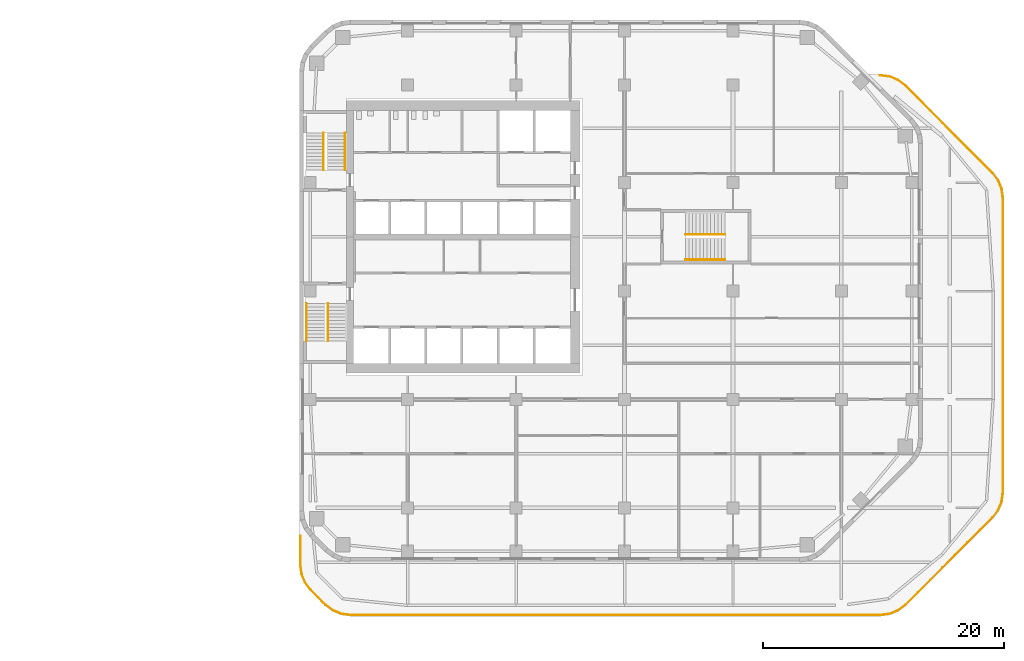
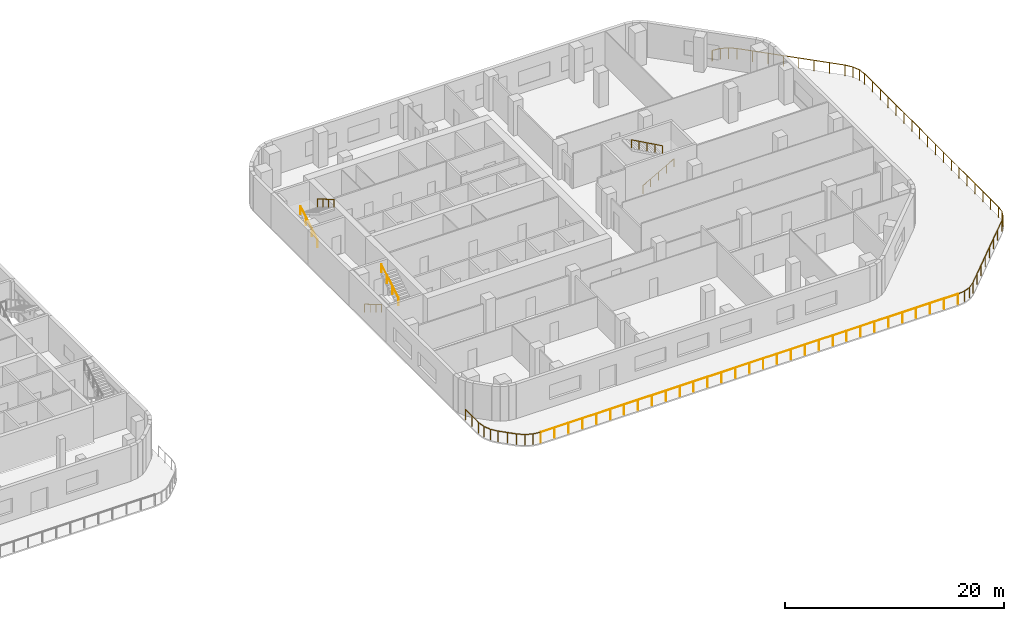
# One storey, part 14 of 15: 11 railings, 3 elements without a shape of their own.
"""IFC4 building model written with IfcOpenShell, lengths in metres."""

from ifc_helpers import new_model, si_unit, direction, frame, origin, origin_2d, place, context, subcontext, project, spatial, circle, extrude, material, type_object, element, aggregate, save


model = new_model("IFC4")

# Units and contexts
model_context = context("Model", 3, precision=1e-05, world=origin(), true_north=direction((0.0, 1.0)))
body_context = subcontext(model_context, "Body", "Model", "MODEL_VIEW")
ifc_project = project(units=[si_unit("LENGTHUNIT", "METRE"), si_unit("AREAUNIT", "SQUARE_METRE"), si_unit("VOLUMEUNIT", "CUBIC_METRE"), si_unit("PLANEANGLEUNIT", "RADIAN"), si_unit("MASSUNIT", "GRAM", prefix="KILO")], contexts=[model_context])

# Site, building, storey
site_placement = place(None, origin())
site = spatial("IfcSite", under=ifc_project, at=site_placement, CompositionType="ELEMENT")
building_placement = place(site_placement, origin())
building = spatial("IfcBuilding", under=site, at=building_placement, Name="Cinnabar Reach Civic Tower", CompositionType="ELEMENT")
storey_placement = place(building_placement, frame((0.0, 0.0, 100.0)))
storey = spatial("IfcBuildingStorey", under=building, at=storey_placement, Name="L23", CompositionType="ELEMENT", Elevation=100.0)

# Railings
ifc_material_1 = material(Name="Stainless steel", Category="steel")
railing_type_1 = type_object("IfcRailingType", Name="Facade terrace guard 1200", PredefinedType="GUARDRAIL", material=ifc_material_1)
railing_1_placement = place(storey_placement, frame((48.1985, 44.9, 0.0)))
element("IfcRailing", 1, at=railing_1_placement, inside=storey, type_object=railing_type_1, Name="Terrace guard", PredefinedType="GUARDRAIL", context=body_context, shape_type="SweptSolid", body=[
    extrude(circle(Radius=0.024, at=origin_2d()), frame((0.0, 0.0, 1.176), z_axis=(1.0, 0.0, 0.0), x_axis=(0.0, 1.0, 0.0)), (0.0, 0.0, 1.0), 0.0523),
    extrude(circle(Radius=0.024, at=origin_2d()), frame((0.0523, 0.0, 1.176), z_axis=(0.991452957962, -0.130464677782, 0.0), x_axis=(0.130464677782, 0.991452957962, 0.0)), (0.0, 0.0, 1.0), 0.7634),
    extrude(circle(Radius=0.024, at=origin_2d()), frame((0.8092, -0.0996, 1.176), z_axis=(0.923841279444, -0.382775770387, 0.0), x_axis=(0.382775770387, 0.923841279444, 0.0)), (0.0, 0.0, 1.0), 0.7568),
    extrude(circle(Radius=0.024, at=origin_2d()), frame((1.5084, -0.3893, 1.176), z_axis=(0.793397594576, -0.608703751361, 0.0), x_axis=(0.608703751361, 0.793397594576, 0.0)), (0.0, 0.0, 1.0), 0.7634),
    extrude(circle(Radius=0.024, at=origin_2d()), frame((2.1141, -0.854, 1.176), z_axis=(0.707106781187, -0.707106781187, 0.0), x_axis=(0.707106781187, 0.707106781187, 0.0)), (0.0, 0.0, 1.0), 10.2296),
    extrude(circle(Radius=0.024, at=origin_2d()), frame((9.3475, -8.0874, 1.176), z_axis=(0.608703751361, -0.793397594576, 0.0), x_axis=(0.793397594576, 0.608703751361, 0.0)), (0.0, 0.0, 1.0), 0.7634),
    extrude(circle(Radius=0.024, at=origin_2d()), frame((9.8122, -8.6931, 1.176), z_axis=(0.382775770387, -0.923841279444, 0.0), x_axis=(0.923841279444, 0.382775770387, 0.0)), (0.0, 0.0, 1.0), 0.7568),
    extrude(circle(Radius=0.024, at=origin_2d()), frame((10.1019, -9.3923, 1.176), z_axis=(0.130464677782, -0.991452957962, 0.0), x_axis=(0.991452957962, 0.130464677782, 0.0)), (0.0, 0.0, 1.0), 0.7634),
    extrude(circle(Radius=0.021, at=origin_2d()), origin(), (0.0, 0.0, 1.0), 1.152),
    extrude(circle(Radius=0.021, at=origin_2d()), frame((0.0523, 0.0, 0.0)), (0.0, 0.0, 1.0), 1.152),
    extrude(circle(Radius=0.021, at=origin_2d()), frame((0.8092, -0.0996, 0.0)), (0.0, 0.0, 1.0), 1.152),
    extrude(circle(Radius=0.021, at=origin_2d()), frame((1.5084, -0.3893, 0.0)), (0.0, 0.0, 1.0), 1.152),
    extrude(circle(Radius=0.021, at=origin_2d()), frame((2.1141, -0.854, 0.0)), (0.0, 0.0, 1.0), 1.152),
    extrude(circle(Radius=0.021, at=origin_2d()), frame((3.1474, -1.8873, 0.0)), (0.0, 0.0, 1.0), 1.152),
    extrude(circle(Radius=0.021, at=origin_2d()), frame((4.1808, -2.9207, 0.0)), (0.0, 0.0, 1.0), 1.152),
    extrude(circle(Radius=0.021, at=origin_2d()), frame((5.2141, -3.954, 0.0)), (0.0, 0.0, 1.0), 1.152),
    extrude(circle(Radius=0.021, at=origin_2d()), frame((6.2475, -4.9874, 0.0)), (0.0, 0.0, 1.0), 1.152),
    extrude(circle(Radius=0.021, at=origin_2d()), frame((7.2808, -6.0207, 0.0)), (0.0, 0.0, 1.0), 1.152),
    extrude(circle(Radius=0.021, at=origin_2d()), frame((8.3142, -7.0541, 0.0)), (0.0, 0.0, 1.0), 1.152),
    extrude(circle(Radius=0.021, at=origin_2d()), frame((9.3475, -8.0874, 0.0)), (0.0, 0.0, 1.0), 1.152),
    extrude(circle(Radius=0.021, at=origin_2d()), frame((9.8122, -8.6931, 0.0)), (0.0, 0.0, 1.0), 1.152),
    extrude(circle(Radius=0.021, at=origin_2d()), frame((10.1019, -9.3923, 0.0)), (0.0, 0.0, 1.0), 1.152),
    extrude(circle(Radius=0.021, at=origin_2d()), frame((10.2015, -10.1492, 0.0)), (0.0, 0.0, 1.0), 1.152),
])
railing_2_placement = place(storey_placement, frame((58.4, 34.7508, 0.0)))
element("IfcRailing", 2, at=railing_2_placement, inside=storey, type_object=railing_type_1, Name="Terrace guard", PredefinedType="GUARDRAIL", context=body_context, shape_type="SweptSolid", body=[
    extrude(circle(Radius=0.024, at=origin_2d()), frame((0.0, 0.0, 1.176), z_axis=(0.0, -1.0, 0.0), x_axis=(1.0, 0.0, 0.0)), (0.0, 0.0, 1.0), 24.5016),
    extrude(circle(Radius=0.021, at=origin_2d()), origin(), (0.0, 0.0, 1.0), 1.152),
    extrude(circle(Radius=0.021, at=origin_2d()), frame((0.0, -1.4413, 0.0)), (0.0, 0.0, 1.0), 1.152),
    extrude(circle(Radius=0.021, at=origin_2d()), frame((0.0, -2.8825, 0.0)), (0.0, 0.0, 1.0), 1.152),
    extrude(circle(Radius=0.021, at=origin_2d()), frame((0.0, -4.3238, 0.0)), (0.0, 0.0, 1.0), 1.152),
    extrude(circle(Radius=0.021, at=origin_2d()), frame((0.0, -5.7651, 0.0)), (0.0, 0.0, 1.0), 1.152),
    extrude(circle(Radius=0.021, at=origin_2d()), frame((0.0, -7.2064, 0.0)), (0.0, 0.0, 1.0), 1.152),
    extrude(circle(Radius=0.021, at=origin_2d()), frame((0.0, -8.6476, 0.0)), (0.0, 0.0, 1.0), 1.152),
    extrude(circle(Radius=0.021, at=origin_2d()), frame((0.0, -10.0889, 0.0)), (0.0, 0.0, 1.0), 1.152),
    extrude(circle(Radius=0.021, at=origin_2d()), frame((0.0, -11.5302, 0.0)), (0.0, 0.0, 1.0), 1.152),
    extrude(circle(Radius=0.021, at=origin_2d()), frame((0.0, -12.9714, 0.0)), (0.0, 0.0, 1.0), 1.152),
    extrude(circle(Radius=0.021, at=origin_2d()), frame((0.0, -14.4127, 0.0)), (0.0, 0.0, 1.0), 1.152),
    extrude(circle(Radius=0.021, at=origin_2d()), frame((0.0, -15.854, 0.0)), (0.0, 0.0, 1.0), 1.152),
    extrude(circle(Radius=0.021, at=origin_2d()), frame((0.0, -17.2952, 0.0)), (0.0, 0.0, 1.0), 1.152),
    extrude(circle(Radius=0.021, at=origin_2d()), frame((0.0, -18.7365, 0.0)), (0.0, 0.0, 1.0), 1.152),
    extrude(circle(Radius=0.021, at=origin_2d()), frame((0.0, -20.1778, 0.0)), (0.0, 0.0, 1.0), 1.152),
    extrude(circle(Radius=0.021, at=origin_2d()), frame((0.0, -21.6191, 0.0)), (0.0, 0.0, 1.0), 1.152),
    extrude(circle(Radius=0.021, at=origin_2d()), frame((0.0, -23.0603, 0.0)), (0.0, 0.0, 1.0), 1.152),
    extrude(circle(Radius=0.021, at=origin_2d()), frame((0.0, -24.5016, 0.0)), (0.0, 0.0, 1.0), 1.152),
])
railing_3_placement = place(storey_placement, frame((58.4, 10.2492, 0.0)))
element("IfcRailing", 3, at=railing_3_placement, inside=storey, type_object=railing_type_1, Name="Terrace guard", PredefinedType="GUARDRAIL", context=body_context, shape_type="SweptSolid", body=[
    extrude(circle(Radius=0.024, at=origin_2d()), frame((0.0, 0.0, 1.176), z_axis=(-0.130464677782, -0.991452957962, 0.0), x_axis=(0.991452957962, -0.130464677782, 0.0)), (0.0, 0.0, 1.0), 0.7634),
    extrude(circle(Radius=0.024, at=origin_2d()), frame((-0.0996, -0.7569, 1.176), z_axis=(-0.382775770387, -0.923841279444, 0.0), x_axis=(0.923841279444, -0.382775770387, 0.0)), (0.0, 0.0, 1.0), 0.7568),
    extrude(circle(Radius=0.024, at=origin_2d()), frame((-0.3893, -1.4561, 1.176), z_axis=(-0.608703751361, -0.793397594576, 0.0), x_axis=(0.793397594576, -0.608703751361, 0.0)), (0.0, 0.0, 1.0), 0.7634),
    extrude(circle(Radius=0.024, at=origin_2d()), frame((-0.854, -2.0618, 1.176), z_axis=(-0.707106781187, -0.707106781187, 0.0), x_axis=(0.707106781187, -0.707106781187, 0.0)), (0.0, 0.0, 1.0), 10.2296),
    extrude(circle(Radius=0.024, at=origin_2d()), frame((-8.0874, -9.2952, 1.176), z_axis=(-0.793397594576, -0.608703751361, 0.0), x_axis=(0.608703751361, -0.793397594576, 0.0)), (0.0, 0.0, 1.0), 0.7634),
    extrude(circle(Radius=0.024, at=origin_2d()), frame((-8.6931, -9.7599, 1.176), z_axis=(-0.923841279444, -0.382775770387, 0.0), x_axis=(0.382775770387, -0.923841279444, 0.0)), (0.0, 0.0, 1.0), 0.7568),
    extrude(circle(Radius=0.024, at=origin_2d()), frame((-9.3923, -10.0496, 1.176), z_axis=(-0.991452957962, -0.130464677782, 0.0), x_axis=(0.130464677782, -0.991452957962, 0.0)), (0.0, 0.0, 1.0), 0.7634),
    extrude(circle(Radius=0.021, at=origin_2d()), origin(), (0.0, 0.0, 1.0), 1.152),
    extrude(circle(Radius=0.021, at=origin_2d()), frame((-0.0996, -0.7569, 0.0)), (0.0, 0.0, 1.0), 1.152),
    extrude(circle(Radius=0.021, at=origin_2d()), frame((-0.3893, -1.4561, 0.0)), (0.0, 0.0, 1.0), 1.152),
    extrude(circle(Radius=0.021, at=origin_2d()), frame((-0.854, -2.0618, 0.0)), (0.0, 0.0, 1.0), 1.152),
    extrude(circle(Radius=0.021, at=origin_2d()), frame((-1.8873, -3.0951, 0.0)), (0.0, 0.0, 1.0), 1.152),
    extrude(circle(Radius=0.021, at=origin_2d()), frame((-2.9207, -4.1285, 0.0)), (0.0, 0.0, 1.0), 1.152),
    extrude(circle(Radius=0.021, at=origin_2d()), frame((-3.954, -5.1618, 0.0)), (0.0, 0.0, 1.0), 1.152),
    extrude(circle(Radius=0.021, at=origin_2d()), frame((-4.9874, -6.1952, 0.0)), (0.0, 0.0, 1.0), 1.152),
    extrude(circle(Radius=0.021, at=origin_2d()), frame((-6.0207, -7.2285, 0.0)), (0.0, 0.0, 1.0), 1.152),
    extrude(circle(Radius=0.021, at=origin_2d()), frame((-7.0541, -8.2619, 0.0)), (0.0, 0.0, 1.0), 1.152),
    extrude(circle(Radius=0.021, at=origin_2d()), frame((-8.0874, -9.2952, 0.0)), (0.0, 0.0, 1.0), 1.152),
    extrude(circle(Radius=0.021, at=origin_2d()), frame((-8.6931, -9.7599, 0.0)), (0.0, 0.0, 1.0), 1.152),
    extrude(circle(Radius=0.021, at=origin_2d()), frame((-9.3923, -10.0496, 0.0)), (0.0, 0.0, 1.0), 1.152),
    extrude(circle(Radius=0.021, at=origin_2d()), frame((-10.1492, -10.1492, 0.0)), (0.0, 0.0, 1.0), 1.152),
])
railing_4_placement = place(storey_placement, frame((48.2508, 0.1, 0.0)))
element("IfcRailing", 4, at=railing_4_placement, inside=storey, type_object=railing_type_1, Name="Terrace guard", PredefinedType="GUARDRAIL", context=body_context, shape_type="SweptSolid", body=[
    extrude(circle(Radius=0.024, at=origin_2d()), frame((0.0, 0.0, 1.176), z_axis=(-1.0, 0.0, 0.0), x_axis=(0.0, -1.0, 0.0)), (0.0, 0.0, 1.0), 44.0016),
    extrude(circle(Radius=0.021, at=origin_2d()), origin(), (0.0, 0.0, 1.0), 1.152),
    extrude(circle(Radius=0.021, at=origin_2d()), frame((-1.4667, 0.0, 0.0)), (0.0, 0.0, 1.0), 1.152),
    extrude(circle(Radius=0.021, at=origin_2d()), frame((-2.9334, 0.0, 0.0)), (0.0, 0.0, 1.0), 1.152),
    extrude(circle(Radius=0.021, at=origin_2d()), frame((-4.4002, 0.0, 0.0)), (0.0, 0.0, 1.0), 1.152),
    extrude(circle(Radius=0.021, at=origin_2d()), frame((-5.8669, 0.0, 0.0)), (0.0, 0.0, 1.0), 1.152),
    extrude(circle(Radius=0.021, at=origin_2d()), frame((-7.3336, 0.0, 0.0)), (0.0, 0.0, 1.0), 1.152),
    extrude(circle(Radius=0.021, at=origin_2d()), frame((-8.8003, 0.0, 0.0)), (0.0, 0.0, 1.0), 1.152),
    extrude(circle(Radius=0.021, at=origin_2d()), frame((-10.267, 0.0, 0.0)), (0.0, 0.0, 1.0), 1.152),
    extrude(circle(Radius=0.021, at=origin_2d()), frame((-11.7338, 0.0, 0.0)), (0.0, 0.0, 1.0), 1.152),
    extrude(circle(Radius=0.021, at=origin_2d()), frame((-13.2005, 0.0, 0.0)), (0.0, 0.0, 1.0), 1.152),
    extrude(circle(Radius=0.021, at=origin_2d()), frame((-14.6672, 0.0, 0.0)), (0.0, 0.0, 1.0), 1.152),
    extrude(circle(Radius=0.021, at=origin_2d()), frame((-16.1339, 0.0, 0.0)), (0.0, 0.0, 1.0), 1.152),
    extrude(circle(Radius=0.021, at=origin_2d()), frame((-17.6006, 0.0, 0.0)), (0.0, 0.0, 1.0), 1.152),
    extrude(circle(Radius=0.021, at=origin_2d()), frame((-19.0674, 0.0, 0.0)), (0.0, 0.0, 1.0), 1.152),
    extrude(circle(Radius=0.021, at=origin_2d()), frame((-20.5341, 0.0, 0.0)), (0.0, 0.0, 1.0), 1.152),
    extrude(circle(Radius=0.021, at=origin_2d()), frame((-22.0008, 0.0, 0.0)), (0.0, 0.0, 1.0), 1.152),
    extrude(circle(Radius=0.021, at=origin_2d()), frame((-23.4675, 0.0, 0.0)), (0.0, 0.0, 1.0), 1.152),
    extrude(circle(Radius=0.021, at=origin_2d()), frame((-24.9342, 0.0, 0.0)), (0.0, 0.0, 1.0), 1.152),
    extrude(circle(Radius=0.021, at=origin_2d()), frame((-26.401, 0.0, 0.0)), (0.0, 0.0, 1.0), 1.152),
    extrude(circle(Radius=0.021, at=origin_2d()), frame((-27.8677, 0.0, 0.0)), (0.0, 0.0, 1.0), 1.152),
    extrude(circle(Radius=0.021, at=origin_2d()), frame((-29.3344, 0.0, 0.0)), (0.0, 0.0, 1.0), 1.152),
    extrude(circle(Radius=0.021, at=origin_2d()), frame((-30.8011, 0.0, 0.0)), (0.0, 0.0, 1.0), 1.152),
    extrude(circle(Radius=0.021, at=origin_2d()), frame((-32.2678, 0.0, 0.0)), (0.0, 0.0, 1.0), 1.152),
    extrude(circle(Radius=0.021, at=origin_2d()), frame((-33.7346, 0.0, 0.0)), (0.0, 0.0, 1.0), 1.152),
    extrude(circle(Radius=0.021, at=origin_2d()), frame((-35.2013, 0.0, 0.0)), (0.0, 0.0, 1.0), 1.152),
    extrude(circle(Radius=0.021, at=origin_2d()), frame((-36.668, 0.0, 0.0)), (0.0, 0.0, 1.0), 1.152),
    extrude(circle(Radius=0.021, at=origin_2d()), frame((-38.1347, 0.0, 0.0)), (0.0, 0.0, 1.0), 1.152),
    extrude(circle(Radius=0.021, at=origin_2d()), frame((-39.6014, 0.0, 0.0)), (0.0, 0.0, 1.0), 1.152),
    extrude(circle(Radius=0.021, at=origin_2d()), frame((-41.0682, 0.0, 0.0)), (0.0, 0.0, 1.0), 1.152),
    extrude(circle(Radius=0.021, at=origin_2d()), frame((-42.5349, 0.0, 0.0)), (0.0, 0.0, 1.0), 1.152),
    extrude(circle(Radius=0.021, at=origin_2d()), frame((-44.0016, 0.0, 0.0)), (0.0, 0.0, 1.0), 1.152),
])
railing_5_placement = place(storey_placement, frame((4.2492, 0.1, 0.0)))
element("IfcRailing", 5, at=railing_5_placement, inside=storey, type_object=railing_type_1, Name="Terrace guard", PredefinedType="GUARDRAIL", context=body_context, shape_type="SweptSolid", body=[
    extrude(circle(Radius=0.024, at=origin_2d()), frame((0.0, 0.0, 1.176), z_axis=(-0.991452957962, 0.130464677782, 0.0), x_axis=(-0.130464677782, -0.991452957962, 0.0)), (0.0, 0.0, 1.0), 0.7634),
    extrude(circle(Radius=0.024, at=origin_2d()), frame((-0.7569, 0.0996, 1.176), z_axis=(-0.923841279444, 0.382775770387, 0.0), x_axis=(-0.382775770387, -0.923841279444, 0.0)), (0.0, 0.0, 1.0), 0.7568),
    extrude(circle(Radius=0.024, at=origin_2d()), frame((-1.4561, 0.3893, 1.176), z_axis=(-0.793397594576, 0.608703751361, 0.0), x_axis=(-0.608703751361, -0.793397594576, 0.0)), (0.0, 0.0, 1.0), 0.7634),
    extrude(circle(Radius=0.024, at=origin_2d()), frame((-2.0618, 0.854, 1.176), z_axis=(-0.707106781187, 0.707106781187, 0.0), x_axis=(-0.707106781187, -0.707106781187, 0.0)), (0.0, 0.0, 1.0), 1.7443),
    extrude(circle(Radius=0.024, at=origin_2d()), frame((-3.2952, 2.0874, 1.176), z_axis=(-0.608703751361, 0.793397594576, 0.0), x_axis=(-0.793397594576, -0.608703751361, 0.0)), (0.0, 0.0, 1.0), 0.7634),
    extrude(circle(Radius=0.024, at=origin_2d()), frame((-3.7599, 2.6931, 1.176), z_axis=(-0.382775770387, 0.923841279444, 0.0), x_axis=(-0.923841279444, -0.382775770387, 0.0)), (0.0, 0.0, 1.0), 0.7568),
    extrude(circle(Radius=0.024, at=origin_2d()), frame((-4.0496, 3.3923, 1.176), z_axis=(-0.130464677782, 0.991452957962, 0.0), x_axis=(-0.991452957962, -0.130464677782, 0.0)), (0.0, 0.0, 1.0), 0.7634),
    extrude(circle(Radius=0.024, at=origin_2d()), frame((-4.1492, 4.1492, 1.176), z_axis=(0.0, 1.0, 0.0), x_axis=(-1.0, 0.0, 0.0)), (0.0, 0.0, 1.0), 2.4013),
    extrude(circle(Radius=0.021, at=origin_2d()), origin(), (0.0, 0.0, 1.0), 1.152),
    extrude(circle(Radius=0.021, at=origin_2d()), frame((-0.7569, 0.0996, 0.0)), (0.0, 0.0, 1.0), 1.152),
    extrude(circle(Radius=0.021, at=origin_2d()), frame((-1.4561, 0.3893, 0.0)), (0.0, 0.0, 1.0), 1.152),
    extrude(circle(Radius=0.021, at=origin_2d()), frame((-2.0618, 0.854, 0.0)), (0.0, 0.0, 1.0), 1.152),
    extrude(circle(Radius=0.021, at=origin_2d()), frame((-2.6785, 1.4707, 0.0)), (0.0, 0.0, 1.0), 1.152),
    extrude(circle(Radius=0.021, at=origin_2d()), frame((-3.2952, 2.0874, 0.0)), (0.0, 0.0, 1.0), 1.152),
    extrude(circle(Radius=0.021, at=origin_2d()), frame((-3.7599, 2.6931, 0.0)), (0.0, 0.0, 1.0), 1.152),
    extrude(circle(Radius=0.021, at=origin_2d()), frame((-4.0496, 3.3923, 0.0)), (0.0, 0.0, 1.0), 1.152),
    extrude(circle(Radius=0.021, at=origin_2d()), frame((-4.1492, 4.1492, 0.0)), (0.0, 0.0, 1.0), 1.152),
    extrude(circle(Radius=0.021, at=origin_2d()), frame((-4.1492, 5.3498, 0.0)), (0.0, 0.0, 1.0), 1.152),
    extrude(circle(Radius=0.021, at=origin_2d()), frame((-4.1492, 6.5505, 0.0)), (0.0, 0.0, 1.0), 1.152),
])

# Stair, railings
ifc_material_2 = material(Name="Concrete C40/50", Category="concrete")
stair_type = type_object("IfcStairType", Name="T1 Exit stair, half-turn", PredefinedType="HALF_TURN_STAIR", material=ifc_material_2)
stair_1_placement = place(storey_placement, origin())
stair_1 = element("IfcStair", 6, at=stair_1_placement, inside=storey, type_object=stair_type, Name="Stair T1-S1", PredefinedType="HALF_TURN_STAIR")
ifc_material_3 = material(Name="Stainless steel tube", Category="steel")
railing_type_2 = type_object("IfcRailingType", Name="T1 Stair handrail, stainless tube 48", PredefinedType="HANDRAIL", material=ifc_material_3)
railing_6_placement = place(storey_placement, frame((0.6, 25.95, 0.1667)))
railing_6 = element("IfcRailing", 7, at=railing_6_placement, type_object=railing_type_2, Name="T1-S1 handrail 1", PredefinedType="HANDRAIL", context=body_context, shape_type="SweptSolid", body=[
    extrude(circle(Radius=0.024, at=origin_2d()), frame((0.0, 0.0, 0.876), z_axis=(0.0, -0.859296971757, 0.511476992962), x_axis=(1.0, 0.0, 0.0)), (0.0, 0.0, 1.0), 3.5843),
    extrude(circle(Radius=0.021, at=origin_2d()), origin(), (0.0, 0.0, 1.0), 0.852),
    extrude(circle(Radius=0.021, at=origin_2d()), frame((0.0, -1.0267, 0.6111)), (0.0, 0.0, 1.0), 0.852),
    extrude(circle(Radius=0.021, at=origin_2d()), frame((0.0, -2.0533, 1.2222)), (0.0, 0.0, 1.0), 0.852),
    extrude(circle(Radius=0.021, at=origin_2d()), frame((0.0, -3.08, 1.8333)), (0.0, 0.0, 1.0), 0.852),
])
railing_7_placement = place(storey_placement, frame((2.375, 22.87, 2.1667)))
railing_7 = element("IfcRailing", 8, at=railing_7_placement, type_object=railing_type_2, Name="T1-S1 handrail 2", PredefinedType="HANDRAIL", context=body_context, shape_type="SweptSolid", body=[
    extrude(circle(Radius=0.024, at=origin_2d()), frame((0.0, 0.0, 0.876), z_axis=(0.0, 0.859296971757, 0.511476992962), x_axis=(-1.0, 0.0, 0.0)), (0.0, 0.0, 1.0), 3.5843),
    extrude(circle(Radius=0.021, at=origin_2d()), origin(), (0.0, 0.0, 1.0), 0.852),
    extrude(circle(Radius=0.021, at=origin_2d()), frame((0.0, 1.0267, 0.6111)), (0.0, 0.0, 1.0), 0.852),
    extrude(circle(Radius=0.021, at=origin_2d()), frame((0.0, 2.0533, 1.2222)), (0.0, 0.0, 1.0), 0.852),
    extrude(circle(Radius=0.021, at=origin_2d()), frame((0.0, 3.08, 1.8333)), (0.0, 0.0, 1.0), 0.852),
])
aggregate(stair_1, [railing_6, railing_7])

stair_2_placement = place(storey_placement, origin())
stair_2 = element("IfcStair", 9, at=stair_2_placement, inside=storey, type_object=stair_type, Name="Stair T1-S2", PredefinedType="HALF_TURN_STAIR")
railing_8_placement = place(storey_placement, frame((2.025, 37.05, 0.1667)))
railing_8 = element("IfcRailing", 10, at=railing_8_placement, type_object=railing_type_2, Name="T1-S2 handrail 1", PredefinedType="HANDRAIL", context=body_context, shape_type="SweptSolid", body=[
    extrude(circle(Radius=0.024, at=origin_2d()), frame((0.0, 0.0, 0.876), z_axis=(0.0, 0.859296971757, 0.511476992962), x_axis=(-1.0, 0.0, 0.0)), (0.0, 0.0, 1.0), 3.5843),
    extrude(circle(Radius=0.021, at=origin_2d()), origin(), (0.0, 0.0, 1.0), 0.852),
    extrude(circle(Radius=0.021, at=origin_2d()), frame((0.0, 1.0267, 0.6111)), (0.0, 0.0, 1.0), 0.852),
    extrude(circle(Radius=0.021, at=origin_2d()), frame((0.0, 2.0533, 1.2222)), (0.0, 0.0, 1.0), 0.852),
    extrude(circle(Radius=0.021, at=origin_2d()), frame((0.0, 3.08, 1.8333)), (0.0, 0.0, 1.0), 0.852),
])
railing_9_placement = place(storey_placement, frame((3.8, 40.13, 2.1667)))
railing_9 = element("IfcRailing", 11, at=railing_9_placement, type_object=railing_type_2, Name="T1-S2 handrail 2", PredefinedType="HANDRAIL", context=body_context, shape_type="SweptSolid", body=[
    extrude(circle(Radius=0.024, at=origin_2d()), frame((0.0, 0.0, 0.876), z_axis=(0.0, -0.859296971757, 0.511476992962), x_axis=(1.0, 0.0, 0.0)), (0.0, 0.0, 1.0), 3.5843),
    extrude(circle(Radius=0.021, at=origin_2d()), origin(), (0.0, 0.0, 1.0), 0.852),
    extrude(circle(Radius=0.021, at=origin_2d()), frame((0.0, -1.0267, 0.6111)), (0.0, 0.0, 1.0), 0.852),
    extrude(circle(Radius=0.021, at=origin_2d()), frame((0.0, -2.0533, 1.2222)), (0.0, 0.0, 1.0), 0.852),
    extrude(circle(Radius=0.021, at=origin_2d()), frame((0.0, -3.08, 1.8333)), (0.0, 0.0, 1.0), 0.852),
])
aggregate(stair_2, [railing_8, railing_9])

stair_3_placement = place(storey_placement, origin())
stair_3 = element("IfcStair", 12, at=stair_3_placement, inside=storey, type_object=stair_type, Name="Stair T1-S3", PredefinedType="HALF_TURN_STAIR")
railing_10_placement = place(storey_placement, frame((32.05, 29.6, 0.1667)))
railing_10 = element("IfcRailing", 13, at=railing_10_placement, type_object=railing_type_2, Name="T1-S3 handrail 1", PredefinedType="HANDRAIL", context=body_context, shape_type="SweptSolid", body=[
    extrude(circle(Radius=0.024, at=origin_2d()), frame((0.0, 0.0, 0.876), z_axis=(0.874161024642, 0.0, 0.485636183781), x_axis=(0.0, 1.0, 0.0)), (0.0, 0.0, 1.0), 3.775),
    extrude(circle(Radius=0.021, at=origin_2d()), origin(), (0.0, 0.0, 1.0), 0.852),
    extrude(circle(Radius=0.021, at=origin_2d()), frame((0.825, 0.0, 0.4583)), (0.0, 0.0, 1.0), 0.852),
    extrude(circle(Radius=0.021, at=origin_2d()), frame((1.65, 0.0, 0.9166)), (0.0, 0.0, 1.0), 0.852),
    extrude(circle(Radius=0.021, at=origin_2d()), frame((2.475, 0.0, 1.375)), (0.0, 0.0, 1.0), 0.852),
    extrude(circle(Radius=0.021, at=origin_2d()), frame((3.3, 0.0, 1.8333)), (0.0, 0.0, 1.0), 0.852),
])
railing_11_placement = place(storey_placement, frame((35.35, 31.7, 2.1667)))
railing_11 = element("IfcRailing", 14, at=railing_11_placement, type_object=railing_type_2, Name="T1-S3 handrail 2", PredefinedType="HANDRAIL", context=body_context, shape_type="SweptSolid", body=[
    extrude(circle(Radius=0.024, at=origin_2d()), frame((0.0, 0.0, 0.876), z_axis=(-0.874161024642, 0.0, 0.485636183781), x_axis=(0.0, -1.0, 0.0)), (0.0, 0.0, 1.0), 3.775),
    extrude(circle(Radius=0.021, at=origin_2d()), origin(), (0.0, 0.0, 1.0), 0.852),
    extrude(circle(Radius=0.021, at=origin_2d()), frame((-0.825, 0.0, 0.4583)), (0.0, 0.0, 1.0), 0.852),
    extrude(circle(Radius=0.021, at=origin_2d()), frame((-1.65, 0.0, 0.9166)), (0.0, 0.0, 1.0), 0.852),
    extrude(circle(Radius=0.021, at=origin_2d()), frame((-2.475, 0.0, 1.375)), (0.0, 0.0, 1.0), 0.852),
    extrude(circle(Radius=0.021, at=origin_2d()), frame((-3.3, 0.0, 1.8333)), (0.0, 0.0, 1.0), 0.852),
])
aggregate(stair_3, [railing_10, railing_11])

save(model, "model.ifc")
